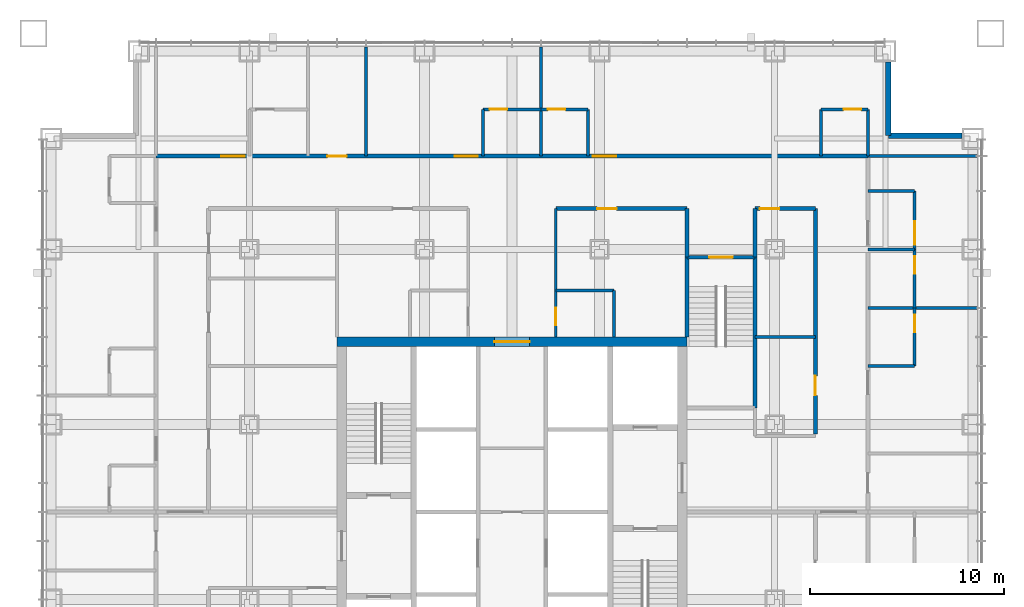
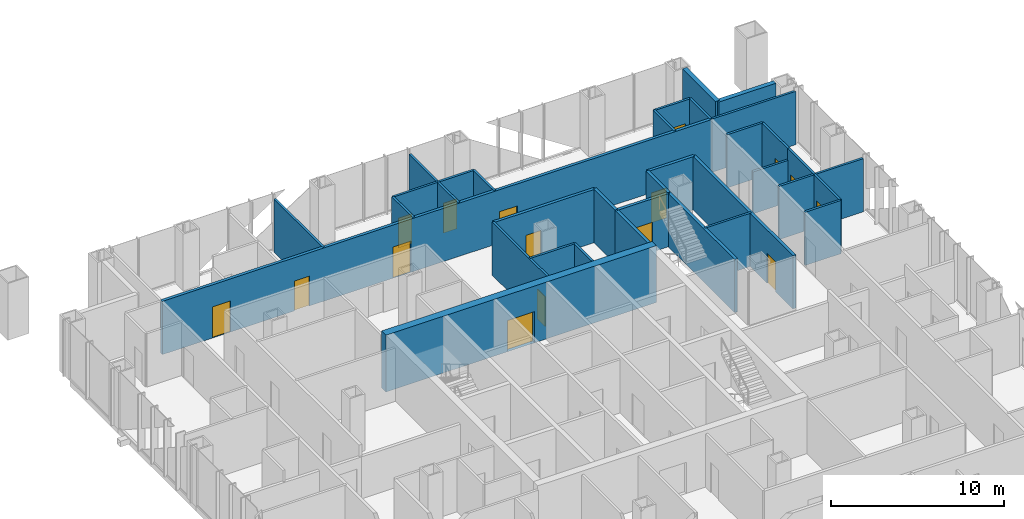
# One storey, part 12 of 14: 33 walls, 16 doors, 16 openings.
"""IFC4 building model written with IfcOpenShell, lengths in metres."""

from ifc_helpers import new_model, si_unit, direction, frame, frame_2d, origin, place, context, subcontext, project, spatial, rectangle, extrude, material, layer, layer_set, type_object, element, fill, save


model = new_model("IFC4")

# Units and contexts
model_context = context("Model", 3, precision=1e-05, world=origin(), true_north=direction((0.0, 1.0)))
body_context = subcontext(model_context, "Body", "Model", "MODEL_VIEW")
ifc_project = project(units=[si_unit("LENGTHUNIT", "METRE"), si_unit("AREAUNIT", "SQUARE_METRE"), si_unit("VOLUMEUNIT", "CUBIC_METRE"), si_unit("PLANEANGLEUNIT", "RADIAN"), si_unit("MASSUNIT", "GRAM", prefix="KILO")], contexts=[model_context])

# Site, building, storey
site_placement = place(None, origin())
site = spatial("IfcSite", under=ifc_project, at=site_placement, CompositionType="ELEMENT")
building_placement = place(site_placement, origin())
building = spatial("IfcBuilding", under=site, at=building_placement, Name="Malebo Sky Hospital", CompositionType="ELEMENT")
storey_placement = place(building_placement, frame((0.0, 0.0, 148.0)))
storey = spatial("IfcBuildingStorey", under=building, at=storey_placement, Name="L35", CompositionType="ELEMENT", Elevation=148.0)

# Wall, opening, door
ifc_material_1 = material(Name="Concrete C80/95", Category="concrete")
ifc_layer_1 = layer(ifc_material_1, 0.5)
ifc_layer_set_1 = layer_set([ifc_layer_1], Name="CORE WALL 500")
wall_type_1 = type_object("IfcWallType", Name="CORE WALL 500", PredefinedType="SHEAR", material=ifc_layer_set_1)
wall_1_placement = place(storey_placement, frame((51.0, 70.75, 0.0), z_axis=(0.0, 0.0, 1.0), x_axis=(1.0, 0.0, 0.0)))
wall_1 = element("IfcWall", 1, at=wall_1_placement, inside=storey, type_object=wall_type_1, Name="Core wall N L35", PredefinedType="SHEAR", context=body_context, shape_type="SweptSolid", body=[
    extrude(rectangle(XDim=18.0, YDim=0.5, at=frame_2d((9.0, 0.0))), origin(), (0.0, 0.0, 1.0), 4.0),
])
opening_1_placement = place(wall_1_placement, frame((8.10009765625, 0.0, 0.0)))
opening_1 = element("IfcOpeningElement", 2, at=opening_1_placement, cuts=wall_1, Name="Opening D06", PredefinedType="OPENING", context=body_context, shape_type="SweptSolid", body=[
    extrude(rectangle(XDim=1.800048828125, YDim=2.199951171875, at=frame_2d((0.89990234375, 1.10009765625))), frame((0.0, 0.260009765625, 0.0), z_axis=(0.0, -1.0, 0.0), x_axis=(1.0, 0.0, 0.0)), (0.0, 0.0, 1.0), 0.52001953125),
])
ifc_material_2 = material(Name="Hardwood-faced door leaf in steel frame", Category="steel")
door_type_1 = type_object("IfcDoorType", Name="LOBBY DOOR PAIR 1800", OperationType="DOUBLE_DOOR_SINGLE_SWING", PredefinedType="DOOR", material=ifc_material_2)
door_1_placement = place(opening_1_placement, origin())
door_1 = element("IfcDoor", 3, at=door_1_placement, inside=storey, type_object=door_type_1, Name="staff rest room door north", OperationType="DOUBLE_DOOR_SINGLE_SWING", OverallHeight=2.199951171875, OverallWidth=1.800048828125, PredefinedType="DOOR", context=body_context, shape_type="SweptSolid", body=[
    extrude(rectangle(XDim=1.800048828125, YDim=2.199951171875, at=frame_2d((0.89990234375, 1.10009765625))), frame((0.0, 0.02490234375, 0.0), z_axis=(0.0, -1.0, 0.0), x_axis=(1.0, 0.0, 0.0)), (0.0, 0.0, 1.0), 0.050048828125),
])
fill(opening_1, door_1)

# Wall, openings, doors
ifc_material_3 = material(Name="Gypsum board on steel studs", Category="steel")
ifc_layer_2 = layer(ifc_material_3, 0.199951171875)
ifc_layer_set_2 = layer_set([ifc_layer_2], Name="CORRIDOR WALL 200")
wall_type_2 = type_object("IfcWallType", Name="CORRIDOR WALL 200", PredefinedType="PARTITIONING", material=ifc_layer_set_2)
wall_2_placement = place(storey_placement, frame((41.699951171875, 80.300048828125, 0.0), z_axis=(0.0, 0.0, 1.0), x_axis=(1.0, 0.0, 0.0)))
wall_2 = element("IfcWall", 4, at=wall_2_placement, inside=storey, type_object=wall_type_2, Name="Corridor Wall 200 NCO", PredefinedType="PARTITIONING", context=body_context, shape_type="SweptSolid", body=[
    extrude(rectangle(XDim=36.60009765625, YDim=0.199951171875, at=frame_2d((18.300048828125, 0.0))), origin(), (0.0, 0.0, 1.0), 3.75),
])
opening_2_placement = place(wall_2_placement, frame((3.35009765625, 0.0, 0.0)))
opening_2 = element("IfcOpeningElement", 5, at=opening_2_placement, cuts=wall_2, Name="Opening D01", PredefinedType="OPENING", context=body_context, shape_type="SweptSolid", body=[
    extrude(rectangle(XDim=1.199951171875, YDim=2.199951171875, at=frame_2d((0.60009765625, 1.10009765625))), frame((0.0, 0.10986328125, 0.0), z_axis=(0.0, -1.0, 0.0), x_axis=(1.0, 0.0, 0.0)), (0.0, 0.0, 1.0), 0.219970703125),
])
opening_3_placement = place(wall_2_placement, frame((8.800048828125, 0.0, 0.0)))
opening_3 = element("IfcOpeningElement", 6, at=opening_3_placement, cuts=wall_2, Name="Opening D03", PredefinedType="OPENING", context=body_context, shape_type="SweptSolid", body=[
    extrude(rectangle(XDim=1.0, YDim=2.10009765625, at=frame_2d((0.5, 1.050048828125))), frame((0.0, 0.10986328125, 0.0), z_axis=(0.0, -1.0, 0.0), x_axis=(1.0, 0.0, 0.0)), (0.0, 0.0, 1.0), 0.219970703125),
])
opening_4_placement = place(wall_2_placement, frame((15.35009765625, 0.0, 0.0)))
opening_4 = element("IfcOpeningElement", 7, at=opening_4_placement, cuts=wall_2, Name="Opening D01", PredefinedType="OPENING", context=body_context, shape_type="SweptSolid", body=[
    extrude(rectangle(XDim=1.199951171875, YDim=2.199951171875, at=frame_2d((0.60009765625, 1.10009765625))), frame((0.0, 0.10986328125, 0.0), z_axis=(0.0, -1.0, 0.0), x_axis=(1.0, 0.0, 0.0)), (0.0, 0.0, 1.0), 0.219970703125),
])
opening_5_placement = place(wall_2_placement, frame((22.449951171875, 0.0, 0.0)))
opening_5 = element("IfcOpeningElement", 8, at=opening_5_placement, cuts=wall_2, Name="Opening D01", PredefinedType="OPENING", context=body_context, shape_type="SweptSolid", body=[
    extrude(rectangle(XDim=1.199951171875, YDim=2.199951171875, at=frame_2d((0.60009765625, 1.10009765625))), frame((0.0, 0.10986328125, 0.0), z_axis=(0.0, -1.0, 0.0), x_axis=(1.0, 0.0, 0.0)), (0.0, 0.0, 1.0), 0.219970703125),
])
door_type_2 = type_object("IfcDoorType", Name="BED DOOR 1200", OperationType="SINGLE_SWING_LEFT", PredefinedType="DOOR", material=ifc_material_2)
door_2_placement = place(opening_2_placement, origin())
door_2 = element("IfcDoor", 9, at=door_2_placement, inside=storey, type_object=door_type_2, Name="Single bed room door", OperationType="SINGLE_SWING_RIGHT", OverallHeight=2.199951171875, OverallWidth=1.199951171875, PredefinedType="DOOR", context=body_context, shape_type="SweptSolid", body=[
    extrude(rectangle(XDim=1.199951171875, YDim=2.199951171875, at=frame_2d((0.60009765625, 1.10009765625))), frame((0.0, 0.02490234375, 0.0), z_axis=(0.0, -1.0, 0.0), x_axis=(1.0, 0.0, 0.0)), (0.0, 0.0, 1.0), 0.050048828125),
])
fill(opening_2, door_2)
door_3_placement = place(opening_4_placement, origin())
door_3 = element("IfcDoor", 10, at=door_3_placement, inside=storey, type_object=door_type_2, Name="Two-bed room door", OperationType="SINGLE_SWING_RIGHT", OverallHeight=2.199951171875, OverallWidth=1.199951171875, PredefinedType="DOOR", context=body_context, shape_type="SweptSolid", body=[
    extrude(rectangle(XDim=1.199951171875, YDim=2.199951171875, at=frame_2d((0.60009765625, 1.10009765625))), frame((0.0, 0.02490234375, 0.0), z_axis=(0.0, -1.0, 0.0), x_axis=(1.0, 0.0, 0.0)), (0.0, 0.0, 1.0), 0.050048828125),
])
fill(opening_4, door_3)
door_4_placement = place(opening_5_placement, origin())
door_4 = element("IfcDoor", 11, at=door_4_placement, inside=storey, type_object=door_type_2, Name="Four-bed bay door", OperationType="SINGLE_SWING_LEFT", OverallHeight=2.199951171875, OverallWidth=1.199951171875, PredefinedType="DOOR", context=body_context, shape_type="SweptSolid", body=[
    extrude(rectangle(XDim=1.199951171875, YDim=2.199951171875, at=frame_2d((0.60009765625, 1.10009765625))), frame((0.0, 0.02490234375, 0.0), z_axis=(0.0, -1.0, 0.0), x_axis=(1.0, 0.0, 0.0)), (0.0, 0.0, 1.0), 0.050048828125),
])
fill(opening_5, door_4)
door_type_3 = type_object("IfcDoorType", Name="ROOM DOOR 1000", OperationType="SINGLE_SWING_LEFT", PredefinedType="DOOR", material=ifc_material_2)
door_5_placement = place(opening_3_placement, origin())
door_5 = element("IfcDoor", 12, at=door_5_placement, inside=storey, type_object=door_type_3, Name="Interview room door", OperationType="SINGLE_SWING_LEFT", OverallHeight=2.10009765625, OverallWidth=1.0, PredefinedType="DOOR", context=body_context, shape_type="SweptSolid", body=[
    extrude(rectangle(XDim=1.0, YDim=2.10009765625, at=frame_2d((0.5, 1.050048828125))), frame((0.0, 0.02490234375, 0.0), z_axis=(0.0, -1.0, 0.0), x_axis=(1.0, 0.0, 0.0)), (0.0, 0.0, 1.0), 0.050048828125),
])
fill(opening_3, door_5)

# Wall, opening, door
wall_3_placement = place(storey_placement, frame((62.25, 77.60009765625, 0.0), z_axis=(0.0, 0.0, 1.0), x_axis=(1.0, 0.0, 0.0)))
wall_3 = element("IfcWall", 13, at=wall_3_placement, inside=storey, type_object=wall_type_2, Name="Corridor Wall 200 NCI2", PredefinedType="PARTITIONING", context=body_context, shape_type="SweptSolid", body=[
    extrude(rectangle(XDim=6.75, YDim=0.199951171875, at=frame_2d((3.375, 0.0))), origin(), (0.0, 0.0, 1.0), 3.75),
])
opening_6_placement = place(wall_3_placement, frame((2.125, 0.0, 0.0)))
opening_6 = element("IfcOpeningElement", 14, at=opening_6_placement, cuts=wall_3, Name="Opening D03", PredefinedType="OPENING", context=body_context, shape_type="SweptSolid", body=[
    extrude(rectangle(XDim=1.0, YDim=2.10009765625, at=frame_2d((0.5, 1.050048828125))), frame((0.0, 0.10986328125, 0.0), z_axis=(0.0, -1.0, 0.0), x_axis=(1.0, 0.0, 0.0)), (0.0, 0.0, 1.0), 0.219970703125),
])
door_6_placement = place(opening_6_placement, origin())
door_6 = element("IfcDoor", 15, at=door_6_placement, inside=storey, type_object=door_type_3, Name="Dirty utility room door", OperationType="SINGLE_SWING_LEFT", OverallHeight=2.10009765625, OverallWidth=1.0, PredefinedType="DOOR", context=body_context, shape_type="SweptSolid", body=[
    extrude(rectangle(XDim=1.0, YDim=2.10009765625, at=frame_2d((0.5, 1.050048828125))), frame((0.0, 0.02490234375, 0.0), z_axis=(0.0, -1.0, 0.0), x_axis=(1.0, 0.0, 0.0)), (0.0, 0.0, 1.0), 0.050048828125),
])
fill(opening_6, door_6)

wall_4_placement = place(storey_placement, frame((72.5, 77.60009765625, 0.0), z_axis=(0.0, 0.0, 1.0), x_axis=(1.0, 0.0, 0.0)))
wall_4 = element("IfcWall", 16, at=wall_4_placement, inside=storey, type_object=wall_type_2, Name="Corridor Wall 200 NCI2/2", PredefinedType="PARTITIONING", context=body_context, shape_type="SweptSolid", body=[
    extrude(rectangle(XDim=3.10009765625, YDim=0.199951171875, at=frame_2d((1.550048828125, 0.0))), origin(), (0.0, 0.0, 1.0), 3.75),
])
opening_7_placement = place(wall_4_placement, frame((0.25, 0.0, 0.0)))
opening_7 = element("IfcOpeningElement", 17, at=opening_7_placement, cuts=wall_4, Name="Opening D03", PredefinedType="OPENING", context=body_context, shape_type="SweptSolid", body=[
    extrude(rectangle(XDim=1.0, YDim=2.10009765625, at=frame_2d((0.5, 1.050048828125))), frame((0.0, 0.10986328125, 0.0), z_axis=(0.0, -1.0, 0.0), x_axis=(1.0, 0.0, 0.0)), (0.0, 0.0, 1.0), 0.219970703125),
])
door_7_placement = place(opening_7_placement, origin())
door_7 = element("IfcDoor", 18, at=door_7_placement, inside=storey, type_object=door_type_3, Name="Nurse station door", OperationType="SINGLE_SWING_LEFT", OverallHeight=2.10009765625, OverallWidth=1.0, PredefinedType="DOOR", context=body_context, shape_type="SweptSolid", body=[
    extrude(rectangle(XDim=1.0, YDim=2.10009765625, at=frame_2d((0.5, 1.050048828125))), frame((0.0, 0.02490234375, 0.0), z_axis=(0.0, -1.0, 0.0), x_axis=(1.0, 0.0, 0.0)), (0.0, 0.0, 1.0), 0.050048828125),
])
fill(opening_7, door_7)

wall_5_placement = place(storey_placement, frame((75.60009765625, 77.60009765625, 0.0), z_axis=(0.0, 0.0, 1.0), x_axis=(0.0, -1.0, 0.0)))
wall_5 = element("IfcWall", 19, at=wall_5_placement, inside=storey, type_object=wall_type_2, Name="Corridor Wall 200 ECI1", PredefinedType="PARTITIONING", context=body_context, shape_type="SweptSolid", body=[
    extrude(rectangle(XDim=11.60009765625, YDim=0.199951171875, at=frame_2d((5.800048828125, 0.0))), origin(), (0.0, 0.0, 1.0), 3.75),
])
opening_8_placement = place(wall_5_placement, frame((8.60009765625, 0.0, 0.0)))
opening_8 = element("IfcOpeningElement", 20, at=opening_8_placement, cuts=wall_5, Name="Opening D03", PredefinedType="OPENING", context=body_context, shape_type="SweptSolid", body=[
    extrude(rectangle(XDim=1.0, YDim=2.10009765625, at=frame_2d((0.5, 1.050048828125))), frame((0.0, 0.10986328125, 0.0), z_axis=(0.0, -1.0, 0.0), x_axis=(1.0, 0.0, 0.0)), (0.0, 0.0, 1.0), 0.219970703125),
])
door_8_placement = place(opening_8_placement, origin())
door_8 = element("IfcDoor", 21, at=door_8_placement, inside=storey, type_object=door_type_3, Name="Ward pantry door", OperationType="SINGLE_SWING_LEFT", OverallHeight=2.10009765625, OverallWidth=1.0, PredefinedType="DOOR", context=body_context, shape_type="SweptSolid", body=[
    extrude(rectangle(XDim=1.0, YDim=2.10009765625, at=frame_2d((0.5, 1.050048828125))), frame((0.0, 0.02490234375, 0.0), z_axis=(0.0, -1.0, 0.0), x_axis=(1.0, 0.0, 0.0)), (0.0, 0.0, 1.0), 0.050048828125),
])
fill(opening_8, door_8)

# Walls
for number, where, z_axis, x_axis, name in (
    (22, (69.0, 75.10009765625, 0.0), (0.0, 0.0, 1.0), (0.0, 1.0, 0.0), "Corridor Wall 200 ST3AW"),
    (23, (72.5, 75.10009765625, 0.0), (0.0, 0.0, 1.0), (0.0, 1.0, 0.0), "Corridor Wall 200 ST3AE"),
):
    element("IfcWall", number, at=place(storey_placement, frame(where, z_axis=z_axis, x_axis=x_axis)), inside=storey, type_object=wall_type_2, Name=name, PredefinedType="PARTITIONING", context=body_context, shape_type="SweptSolid", body=[
        extrude(rectangle(XDim=2.5, YDim=0.199951171875, at=frame_2d((1.25, 0.0))), origin(), (0.0, 0.0, 1.0), 3.75),
    ])
ifc_material_4 = material(Name="Anodised aluminium rainscreen on steel framing", Category="steel")
ifc_layer_3 = layer(ifc_material_4, 0.300048828125)
ifc_layer_set_3 = layer_set([ifc_layer_3], Name="NOTCH RAINSCREEN WALL 300")
wall_type_3 = type_object("IfcWallType", Name="NOTCH RAINSCREEN WALL 300", PredefinedType="ELEMENTEDWALL", material=ifc_layer_set_3)
for number, where, z_axis, x_axis, name in (
    (24, (79.35009765625, 85.14990234375, 0.0), (0.0, 0.0, 1.0), (0.0, -1.0, 0.0), "Notch rainscreen wall N1 L35"),
    (25, (79.35009765625, 81.35009765625, 0.0), (0.0, 0.0, 1.0), (1.0, 0.0, 0.0), "Notch rainscreen wall N2 L35"),
):
    element("IfcWall", number, at=place(storey_placement, frame(where, z_axis=z_axis, x_axis=x_axis)), inside=storey, type_object=wall_type_3, Name=name, PredefinedType="ELEMENTEDWALL", context=body_context, shape_type="SweptSolid", body=[
        extrude(rectangle(XDim=3.7998046875, YDim=0.300048828125, at=frame_2d((1.89990234375, 0.0))), origin(), (0.0, 0.0, 1.0), 4.0),
    ])
ifc_layer_4 = layer(ifc_material_3, 0.14990234375)
ifc_layer_set_4 = layer_set([ifc_layer_4], Name="PARTITION 150")
wall_type_4 = type_object("IfcWallType", Name="PARTITION 150", PredefinedType="PARTITIONING", material=ifc_layer_set_4)
for number, where, z_axis, x_axis, name in (
    (26, (52.5, 80.300048828125, 0.0), (0.0, 0.0, 1.0), (0.0, 1.0, 0.0), "Partition 150 NP-7.5"),
    (27, (61.5, 80.300048828125, 0.0), (0.0, 0.0, 1.0), (0.0, 1.0, 0.0), "Partition 150 NP+1.5"),
):
    element("IfcWall", number, at=place(storey_placement, frame(where, z_axis=z_axis, x_axis=x_axis)), inside=storey, type_object=wall_type_4, Name=name, PredefinedType="PARTITIONING", context=body_context, shape_type="SweptSolid", body=[
        extrude(rectangle(XDim=5.60986328125, YDim=0.14990234375, at=frame_2d((2.804931640625, 0.0))), origin(), (0.0, 0.0, 1.0), 3.75),
    ])

# Wall, opening, door
wall_6_placement = place(storey_placement, frame((58.5, 82.699951171875, 0.0), z_axis=(0.0, 0.0, 1.0), x_axis=(1.0, 0.0, 0.0)))
wall_6 = element("IfcWall", 28, at=wall_6_placement, inside=storey, type_object=wall_type_4, Name="Partition 150 NE2F", PredefinedType="PARTITIONING", context=body_context, shape_type="SweptSolid", body=[
    extrude(rectangle(XDim=3.0, YDim=0.14990234375, at=frame_2d((1.5, 0.0))), origin(), (0.0, 0.0, 1.0), 3.75),
])
opening_9_placement = place(wall_6_placement, frame((0.35009765625, 0.0, 0.0)))
opening_9 = element("IfcOpeningElement", 29, at=opening_9_placement, cuts=wall_6, Name="Opening D02", PredefinedType="OPENING", context=body_context, shape_type="SweptSolid", body=[
    extrude(rectangle(XDim=0.89990234375, YDim=2.10009765625, at=frame_2d((0.449951171875, 1.050048828125))), frame((0.0, 0.0849609375, 0.0), z_axis=(0.0, -1.0, 0.0), x_axis=(1.0, 0.0, 0.0)), (0.0, 0.0, 1.0), 0.169921875),
])
door_type_4 = type_object("IfcDoorType", Name="EN-SUITE DOOR 900", OperationType="SINGLE_SWING_LEFT", PredefinedType="DOOR", material=ifc_material_2)
door_9_placement = place(opening_9_placement, origin())
door_9 = element("IfcDoor", 30, at=door_9_placement, inside=storey, type_object=door_type_4, Name="En-suite door", OperationType="SINGLE_SWING_LEFT", OverallHeight=2.10009765625, OverallWidth=0.89990234375, PredefinedType="DOOR", context=body_context, shape_type="SweptSolid", body=[
    extrude(rectangle(XDim=0.89990234375, YDim=2.10009765625, at=frame_2d((0.449951171875, 1.050048828125))), frame((0.0, 0.02490234375, 0.0), z_axis=(0.0, -1.0, 0.0), x_axis=(1.0, 0.0, 0.0)), (0.0, 0.0, 1.0), 0.050048828125),
])
fill(opening_9, door_9)

# Wall
wall_7_placement = place(storey_placement, frame((58.5, 80.300048828125, 0.0), z_axis=(0.0, 0.0, 1.0), x_axis=(0.0, 1.0, 0.0)))
element("IfcWall", 31, at=wall_7_placement, inside=storey, type_object=wall_type_4, Name="Partition 150 NE2S", PredefinedType="PARTITIONING", context=body_context, shape_type="SweptSolid", body=[
    extrude(rectangle(XDim=2.39990234375, YDim=0.14990234375, at=frame_2d((1.199951171875, 0.0))), origin(), (0.0, 0.0, 1.0), 3.75),
])

# Wall, opening, door
wall_8_placement = place(storey_placement, frame((61.5, 82.699951171875, 0.0), z_axis=(0.0, 0.0, 1.0), x_axis=(1.0, 0.0, 0.0)))
wall_8 = element("IfcWall", 32, at=wall_8_placement, inside=storey, type_object=wall_type_4, Name="Partition 150 NE3F", PredefinedType="PARTITIONING", context=body_context, shape_type="SweptSolid", body=[
    extrude(rectangle(XDim=2.39990234375, YDim=0.14990234375, at=frame_2d((1.199951171875, 0.0))), origin(), (0.0, 0.0, 1.0), 3.75),
])
opening_10_placement = place(wall_8_placement, frame((0.35009765625, 0.0, 0.0)))
opening_10 = element("IfcOpeningElement", 33, at=opening_10_placement, cuts=wall_8, Name="Opening D02", PredefinedType="OPENING", context=body_context, shape_type="SweptSolid", body=[
    extrude(rectangle(XDim=0.89990234375, YDim=2.10009765625, at=frame_2d((0.449951171875, 1.050048828125))), frame((0.0, 0.0849609375, 0.0), z_axis=(0.0, -1.0, 0.0), x_axis=(1.0, 0.0, 0.0)), (0.0, 0.0, 1.0), 0.169921875),
])
door_10_placement = place(opening_10_placement, origin())
door_10 = element("IfcDoor", 34, at=door_10_placement, inside=storey, type_object=door_type_4, Name="En-suite door", OperationType="SINGLE_SWING_LEFT", OverallHeight=2.10009765625, OverallWidth=0.89990234375, PredefinedType="DOOR", context=body_context, shape_type="SweptSolid", body=[
    extrude(rectangle(XDim=0.89990234375, YDim=2.10009765625, at=frame_2d((0.449951171875, 1.050048828125))), frame((0.0, 0.02490234375, 0.0), z_axis=(0.0, -1.0, 0.0), x_axis=(1.0, 0.0, 0.0)), (0.0, 0.0, 1.0), 0.050048828125),
])
fill(opening_10, door_10)

# Wall
wall_9_placement = place(storey_placement, frame((63.89990234375, 80.300048828125, 0.0), z_axis=(0.0, 0.0, 1.0), x_axis=(0.0, 1.0, 0.0)))
element("IfcWall", 35, at=wall_9_placement, inside=storey, type_object=wall_type_4, Name="Partition 150 NE3S", PredefinedType="PARTITIONING", context=body_context, shape_type="SweptSolid", body=[
    extrude(rectangle(XDim=2.39990234375, YDim=0.14990234375, at=frame_2d((1.199951171875, 0.0))), origin(), (0.0, 0.0, 1.0), 3.75),
])

# Wall, opening, door
wall_10_placement = place(storey_placement, frame((75.89990234375, 82.699951171875, 0.0), z_axis=(0.0, 0.0, 1.0), x_axis=(1.0, 0.0, 0.0)))
wall_10 = element("IfcWall", 36, at=wall_10_placement, inside=storey, type_object=wall_type_4, Name="Partition 150 NG3F", PredefinedType="PARTITIONING", context=body_context, shape_type="SweptSolid", body=[
    extrude(rectangle(XDim=2.400146484375, YDim=0.14990234375, at=frame_2d((1.2001953125, 0.0))), origin(), (0.0, 0.0, 1.0), 3.75),
])
opening_11_placement = place(wall_10_placement, frame((1.14990234375, 0.0, 0.0)))
opening_11 = element("IfcOpeningElement", 37, at=opening_11_placement, cuts=wall_10, Name="Opening D02", PredefinedType="OPENING", context=body_context, shape_type="SweptSolid", body=[
    extrude(rectangle(XDim=0.89990234375, YDim=2.10009765625, at=frame_2d((0.449951171875, 1.050048828125))), frame((0.0, 0.0849609375, 0.0), z_axis=(0.0, -1.0, 0.0), x_axis=(1.0, 0.0, 0.0)), (0.0, 0.0, 1.0), 0.169921875),
])
door_11_placement = place(opening_11_placement, origin())
door_11 = element("IfcDoor", 38, at=door_11_placement, inside=storey, type_object=door_type_4, Name="En-suite door", OperationType="SINGLE_SWING_RIGHT", OverallHeight=2.10009765625, OverallWidth=0.89990234375, PredefinedType="DOOR", context=body_context, shape_type="SweptSolid", body=[
    extrude(rectangle(XDim=0.89990234375, YDim=2.10009765625, at=frame_2d((0.449951171875, 1.050048828125))), frame((0.0, 0.02490234375, 0.0), z_axis=(0.0, -1.0, 0.0), x_axis=(1.0, 0.0, 0.0)), (0.0, 0.0, 1.0), 0.050048828125),
])
fill(opening_11, door_11)

# Walls
for number, where, z_axis, x_axis, name in (
    (39, (75.89990234375, 80.300048828125, 0.0), (0.0, 0.0, 1.0), (0.0, 1.0, 0.0), "Partition 150 NG3S"),
    (40, (78.300048828125, 80.300048828125, 0.0), (0.0, 0.0, 1.0), (0.0, 1.0, 0.0), "Partition 150 NEZ"),
):
    element("IfcWall", number, at=place(storey_placement, frame(where, z_axis=z_axis, x_axis=x_axis)), inside=storey, type_object=wall_type_4, Name=name, PredefinedType="PARTITIONING", context=body_context, shape_type="SweptSolid", body=[
        extrude(rectangle(XDim=2.39990234375, YDim=0.14990234375, at=frame_2d((1.199951171875, 0.0))), origin(), (0.0, 0.0, 1.0), 3.75),
    ])

# Wall, opening, door
wall_11_placement = place(storey_placement, frame((62.25, 71.0, 0.0), z_axis=(0.0, 0.0, 1.0), x_axis=(0.0, 1.0, 0.0)))
wall_11 = element("IfcWall", 41, at=wall_11_placement, inside=storey, type_object=wall_type_4, Name="Partition 150 NSPB", PredefinedType="PARTITIONING", context=body_context, shape_type="SweptSolid", body=[
    extrude(rectangle(XDim=6.60009765625, YDim=0.14990234375, at=frame_2d((3.300048828125, 0.0))), origin(), (0.0, 0.0, 1.0), 3.75),
])
opening_12_placement = place(wall_11_placement, frame((0.60009765625, 0.0, 0.0)))
opening_12 = element("IfcOpeningElement", 42, at=opening_12_placement, cuts=wall_11, Name="Opening D04", PredefinedType="OPENING", context=body_context, shape_type="SweptSolid", body=[
    extrude(rectangle(XDim=0.89990234375, YDim=2.10009765625, at=frame_2d((0.449951171875, 1.050048828125))), frame((0.0, 0.0849609375, 0.0), z_axis=(0.0, -1.0, 0.0), x_axis=(1.0, 0.0, 0.0)), (0.0, 0.0, 1.0), 0.169921875),
])
door_type_5 = type_object("IfcDoorType", Name="ROOM DOOR 900", OperationType="SINGLE_SWING_LEFT", PredefinedType="DOOR", material=ifc_material_2)
door_12_placement = place(opening_12_placement, origin())
door_12 = element("IfcDoor", 43, at=door_12_placement, inside=storey, type_object=door_type_5, Name="Accessible WC door", OperationType="SINGLE_SWING_LEFT", OverallHeight=2.10009765625, OverallWidth=0.89990234375, PredefinedType="DOOR", context=body_context, shape_type="SweptSolid", body=[
    extrude(rectangle(XDim=0.89990234375, YDim=2.10009765625, at=frame_2d((0.449951171875, 1.050048828125))), frame((0.0, 0.02490234375, 0.0), z_axis=(0.0, -1.0, 0.0), x_axis=(1.0, 0.0, 0.0)), (0.0, 0.0, 1.0), 0.050048828125),
])
fill(opening_12, door_12)

# Walls
wall_12_placement = place(storey_placement, frame((62.25, 73.39990234375, 0.0), z_axis=(0.0, 0.0, 1.0), x_axis=(1.0, 0.0, 0.0)))
element("IfcWall", 44, at=wall_12_placement, inside=storey, type_object=wall_type_4, Name="Partition 150 NSX1", PredefinedType="PARTITIONING", context=body_context, shape_type="SweptSolid", body=[
    extrude(rectangle(XDim=3.0, YDim=0.14990234375, at=frame_2d((1.5, 0.0))), origin(), (0.0, 0.0, 1.0), 3.75),
])
wall_13_placement = place(storey_placement, frame((65.25, 71.0, 0.0), z_axis=(0.0, 0.0, 1.0), x_axis=(0.0, 1.0, 0.0)))
element("IfcWall", 45, at=wall_13_placement, inside=storey, type_object=wall_type_4, Name="Partition 150 NSY1", PredefinedType="PARTITIONING", context=body_context, shape_type="SweptSolid", body=[
    extrude(rectangle(XDim=2.39990234375, YDim=0.14990234375, at=frame_2d((1.199951171875, 0.0))), origin(), (0.0, 0.0, 1.0), 3.75),
])
for number, where, z_axis, x_axis, name in (
    (46, (78.300048828125, 72.5, 0.0), (0.0, 0.0, 1.0), (1.0, 0.0, 0.0), "Partition 150 EP-10.5"),
    (47, (78.300048828125, 80.300048828125, 0.0), (0.0, 0.0, 1.0), (1.0, 0.0, 0.0), "Partition 150 EP0"),
):
    element("IfcWall", number, at=place(storey_placement, frame(where, z_axis=z_axis, x_axis=x_axis)), inside=storey, type_object=wall_type_4, Name=name, PredefinedType="PARTITIONING", context=body_context, shape_type="SweptSolid", body=[
        extrude(rectangle(XDim=5.60986328125, YDim=0.14990234375, at=frame_2d((2.804931640625, 0.0))), origin(), (0.0, 0.0, 1.0), 3.75),
    ])

# Wall, opening, door
wall_14_placement = place(storey_placement, frame((80.699951171875, 75.5, 0.0), z_axis=(0.0, 0.0, 1.0), x_axis=(0.0, -1.0, 0.0)))
wall_14 = element("IfcWall", 48, at=wall_14_placement, inside=storey, type_object=wall_type_4, Name="Partition 150 EE0F", PredefinedType="PARTITIONING", context=body_context, shape_type="SweptSolid", body=[
    extrude(rectangle(XDim=3.0, YDim=0.14990234375, at=frame_2d((1.5, 0.0))), origin(), (0.0, 0.0, 1.0), 3.75),
])
opening_13_placement = place(wall_14_placement, frame((0.35009765625, 0.0, 0.0)))
opening_13 = element("IfcOpeningElement", 49, at=opening_13_placement, cuts=wall_14, Name="Opening D02", PredefinedType="OPENING", context=body_context, shape_type="SweptSolid", body=[
    extrude(rectangle(XDim=0.89990234375, YDim=2.10009765625, at=frame_2d((0.449951171875, 1.050048828125))), frame((0.0, 0.0849609375, 0.0), z_axis=(0.0, -1.0, 0.0), x_axis=(1.0, 0.0, 0.0)), (0.0, 0.0, 1.0), 0.169921875),
])
door_13_placement = place(opening_13_placement, origin())
door_13 = element("IfcDoor", 50, at=door_13_placement, inside=storey, type_object=door_type_4, Name="En-suite door", OperationType="SINGLE_SWING_LEFT", OverallHeight=2.10009765625, OverallWidth=0.89990234375, PredefinedType="DOOR", context=body_context, shape_type="SweptSolid", body=[
    extrude(rectangle(XDim=0.89990234375, YDim=2.10009765625, at=frame_2d((0.449951171875, 1.050048828125))), frame((0.0, 0.02490234375, 0.0), z_axis=(0.0, -1.0, 0.0), x_axis=(1.0, 0.0, 0.0)), (0.0, 0.0, 1.0), 0.050048828125),
])
fill(opening_13, door_13)

# Wall
wall_15_placement = place(storey_placement, frame((78.300048828125, 75.5, 0.0), z_axis=(0.0, 0.0, 1.0), x_axis=(1.0, 0.0, 0.0)))
element("IfcWall", 51, at=wall_15_placement, inside=storey, type_object=wall_type_4, Name="Partition 150 EE0S", PredefinedType="PARTITIONING", context=body_context, shape_type="SweptSolid", body=[
    extrude(rectangle(XDim=2.39990234375, YDim=0.14990234375, at=frame_2d((1.199951171875, 0.0))), origin(), (0.0, 0.0, 1.0), 2.949951171875),
])

# Wall, opening, door
wall_16_placement = place(storey_placement, frame((80.699951171875, 72.5, 0.0), z_axis=(0.0, 0.0, 1.0), x_axis=(0.0, -1.0, 0.0)))
wall_16 = element("IfcWall", 52, at=wall_16_placement, inside=storey, type_object=wall_type_4, Name="Partition 150 EE1F", PredefinedType="PARTITIONING", context=body_context, shape_type="SweptSolid", body=[
    extrude(rectangle(XDim=3.0, YDim=0.14990234375, at=frame_2d((1.5, 0.0))), origin(), (0.0, 0.0, 1.0), 3.75),
])
opening_14_placement = place(wall_16_placement, frame((0.35009765625, 0.0, 0.0)))
opening_14 = element("IfcOpeningElement", 53, at=opening_14_placement, cuts=wall_16, Name="Opening D02", PredefinedType="OPENING", context=body_context, shape_type="SweptSolid", body=[
    extrude(rectangle(XDim=0.89990234375, YDim=2.10009765625, at=frame_2d((0.449951171875, 1.050048828125))), frame((0.0, 0.0849609375, 0.0), z_axis=(0.0, -1.0, 0.0), x_axis=(1.0, 0.0, 0.0)), (0.0, 0.0, 1.0), 0.169921875),
])
door_14_placement = place(opening_14_placement, origin())
door_14 = element("IfcDoor", 54, at=door_14_placement, inside=storey, type_object=door_type_4, Name="En-suite door", OperationType="SINGLE_SWING_LEFT", OverallHeight=2.10009765625, OverallWidth=0.89990234375, PredefinedType="DOOR", context=body_context, shape_type="SweptSolid", body=[
    extrude(rectangle(XDim=0.89990234375, YDim=2.10009765625, at=frame_2d((0.449951171875, 1.050048828125))), frame((0.0, 0.02490234375, 0.0), z_axis=(0.0, -1.0, 0.0), x_axis=(1.0, 0.0, 0.0)), (0.0, 0.0, 1.0), 0.050048828125),
])
fill(opening_14, door_14)

# Walls
wall_17_placement = place(storey_placement, frame((78.300048828125, 69.5, 0.0), z_axis=(0.0, 0.0, 1.0), x_axis=(1.0, 0.0, 0.0)))
element("IfcWall", 55, at=wall_17_placement, inside=storey, type_object=wall_type_4, Name="Partition 150 EE1S", PredefinedType="PARTITIONING", context=body_context, shape_type="SweptSolid", body=[
    extrude(rectangle(XDim=2.39990234375, YDim=0.14990234375, at=frame_2d((1.199951171875, 0.0))), origin(), (0.0, 0.0, 1.0), 3.75),
])
wall_18_placement = place(storey_placement, frame((72.5, 71.0, 0.0), z_axis=(0.0, 0.0, 1.0), x_axis=(1.0, 0.0, 0.0)))
element("IfcWall", 56, at=wall_18_placement, inside=storey, type_object=wall_type_4, Name="Partition 150 ESP0", PredefinedType="PARTITIONING", context=body_context, shape_type="SweptSolid", body=[
    extrude(rectangle(XDim=3.10009765625, YDim=0.14990234375, at=frame_2d((1.550048828125, 0.0))), origin(), (0.0, 0.0, 1.0), 3.75),
])

# Wall, opening, door
ifc_material_5 = material(Name="Sealed gypsum board on steel studs, taped to the slab", Category="steel")
ifc_layer_5 = layer(ifc_material_5, 0.14990234375)
ifc_layer_set_5 = layer_set([ifc_layer_5], Name="SEALED ISOLATION PARTITION 150")
wall_type_5 = type_object("IfcWallType", Name="SEALED ISOLATION PARTITION 150", PredefinedType="PARTITIONING", material=ifc_layer_set_5)
wall_19_placement = place(storey_placement, frame((80.699951171875, 78.5, 0.0), z_axis=(0.0, 0.0, 1.0), x_axis=(0.0, -1.0, 0.0)))
wall_19 = element("IfcWall", 57, at=wall_19_placement, inside=storey, type_object=wall_type_5, Name="Sealed Isolation Partition 150 EA0F", PredefinedType="PARTITIONING", context=body_context, shape_type="SweptSolid", body=[
    extrude(rectangle(XDim=3.0, YDim=0.14990234375, at=frame_2d((1.5, 0.0))), origin(), (0.0, 0.0, 1.0), 3.75),
])
opening_15_placement = place(wall_19_placement, frame((1.550048828125, 0.0, 0.0)))
opening_15 = element("IfcOpeningElement", 58, at=opening_15_placement, cuts=wall_19, Name="Opening D19", PredefinedType="OPENING", context=body_context, shape_type="SweptSolid", body=[
    extrude(rectangle(XDim=1.199951171875, YDim=2.199951171875, at=frame_2d((0.60009765625, 1.10009765625))), frame((0.0, 0.0849609375, 0.0), z_axis=(0.0, -1.0, 0.0), x_axis=(1.0, 0.0, 0.0)), (0.0, 0.0, 1.0), 0.169921875),
])
ifc_material_6 = material(Name="Hardwood-faced door leaf with perimeter seals in steel frame", Category="steel")
door_type_6 = type_object("IfcDoorType", Name="SEALED ISOLATION ROOM DOOR 1200", OperationType="SINGLE_SWING_LEFT", PredefinedType="DOOR", material=ifc_material_6)
door_15_placement = place(opening_15_placement, origin())
door_15 = element("IfcDoor", 59, at=door_15_placement, inside=storey, type_object=door_type_6, Name="Isolation room door", OperationType="SINGLE_SWING_RIGHT", OverallHeight=2.199951171875, OverallWidth=1.199951171875, PredefinedType="DOOR", context=body_context, shape_type="SweptSolid", body=[
    extrude(rectangle(XDim=1.199951171875, YDim=2.199951171875, at=frame_2d((0.60009765625, 1.10009765625))), frame((0.0, 0.02490234375, 0.0), z_axis=(0.0, -1.0, 0.0), x_axis=(1.0, 0.0, 0.0)), (0.0, 0.0, 1.0), 0.050048828125),
])
fill(opening_15, door_15)

# Walls
wall_20_placement = place(storey_placement, frame((78.300048828125, 78.5, 0.0), z_axis=(0.0, 0.0, 1.0), x_axis=(1.0, 0.0, 0.0)))
element("IfcWall", 60, at=wall_20_placement, inside=storey, type_object=wall_type_5, Name="Sealed Isolation Partition 150 EA0S", PredefinedType="PARTITIONING", context=body_context, shape_type="SweptSolid", body=[
    extrude(rectangle(XDim=2.39990234375, YDim=0.14990234375, at=frame_2d((1.199951171875, 0.0))), origin(), (0.0, 0.0, 1.0), 3.75),
])
ifc_material_7 = material(Name="Concrete C40/50", Category="concrete")
ifc_layer_6 = layer(ifc_material_7, 0.199951171875)
ifc_layer_set_6 = layer_set([ifc_layer_6], Name="STAIR ENCLOSURE WALL 200")
wall_type_6 = type_object("IfcWallType", Name="STAIR ENCLOSURE WALL 200", PredefinedType="SOLIDWALL", material=ifc_layer_set_6)
wall_21_placement = place(storey_placement, frame((69.0, 71.0, 0.0), z_axis=(0.0, 0.0, 1.0), x_axis=(0.0, 1.0, 0.0)))
element("IfcWall", 61, at=wall_21_placement, inside=storey, type_object=wall_type_6, Name="Stair Enclosure Wall 200 ST3W", PredefinedType="SOLIDWALL", context=body_context, shape_type="SweptSolid", body=[
    extrude(rectangle(XDim=4.10009765625, YDim=0.199951171875, at=frame_2d((2.050048828125, 0.0))), origin(), (0.0, 0.0, 1.0), 3.75),
])
wall_22_placement = place(storey_placement, frame((72.5, 67.35009765625, 0.0), z_axis=(0.0, 0.0, 1.0), x_axis=(0.0, 1.0, 0.0)))
element("IfcWall", 62, at=wall_22_placement, inside=storey, type_object=wall_type_6, Name="Stair Enclosure Wall 200 ST3E", PredefinedType="SOLIDWALL", context=body_context, shape_type="SweptSolid", body=[
    extrude(rectangle(XDim=7.75, YDim=0.199951171875, at=frame_2d((3.875, 0.0))), origin(), (0.0, 0.0, 1.0), 3.75),
])

# Wall, opening, door
wall_23_placement = place(storey_placement, frame((69.0, 75.10009765625, 0.0), z_axis=(0.0, 0.0, 1.0), x_axis=(1.0, 0.0, 0.0)))
wall_23 = element("IfcWall", 63, at=wall_23_placement, inside=storey, type_object=wall_type_6, Name="Stair Enclosure Wall 200 ST3N", PredefinedType="SOLIDWALL", context=body_context, shape_type="SweptSolid", body=[
    extrude(rectangle(XDim=3.5, YDim=0.199951171875, at=frame_2d((1.75, 0.0))), origin(), (0.0, 0.0, 1.0), 3.75),
])
opening_16_placement = place(wall_23_placement, frame((1.14990234375, 0.0, 0.0)))
opening_16 = element("IfcOpeningElement", 64, at=opening_16_placement, cuts=wall_23, Name="Opening D08", PredefinedType="OPENING", context=body_context, shape_type="SweptSolid", body=[
    extrude(rectangle(XDim=1.199951171875, YDim=2.10009765625, at=frame_2d((0.60009765625, 1.050048828125))), frame((0.0, 0.10986328125, 0.0), z_axis=(0.0, -1.0, 0.0), x_axis=(1.0, 0.0, 0.0)), (0.0, 0.0, 1.0), 0.219970703125),
])
door_type_7 = type_object("IfcDoorType", Name="STAIR DOOR 1200", OperationType="SINGLE_SWING_LEFT", PredefinedType="DOOR", material=ifc_material_2)
door_16_placement = place(opening_16_placement, origin())
door_16 = element("IfcDoor", 65, at=door_16_placement, inside=storey, type_object=door_type_7, Name="Stair S3 door", OperationType="SINGLE_SWING_LEFT", OverallHeight=2.10009765625, OverallWidth=1.199951171875, PredefinedType="DOOR", context=body_context, shape_type="SweptSolid", body=[
    extrude(rectangle(XDim=1.199951171875, YDim=2.10009765625, at=frame_2d((0.60009765625, 1.050048828125))), frame((0.0, 0.02490234375, 0.0), z_axis=(0.0, -1.0, 0.0), x_axis=(1.0, 0.0, 0.0)), (0.0, 0.0, 1.0), 0.050048828125),
])
fill(opening_16, door_16)

save(model, "model.ifc")
